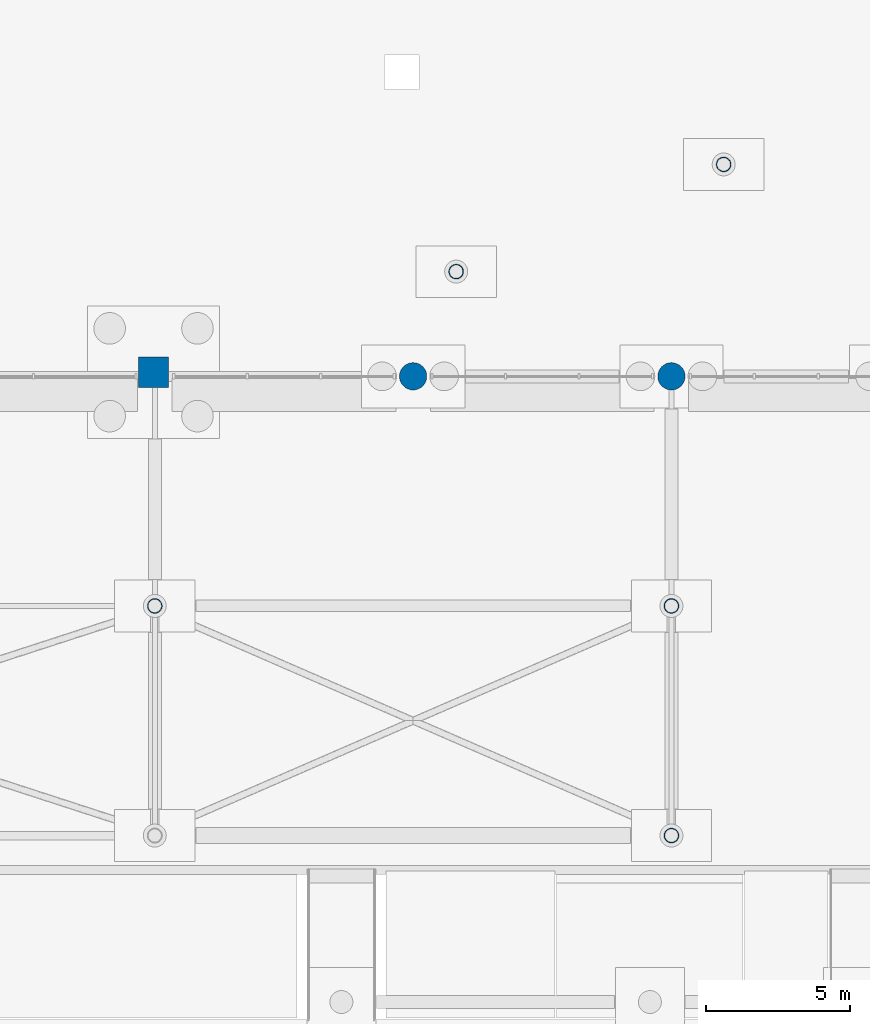
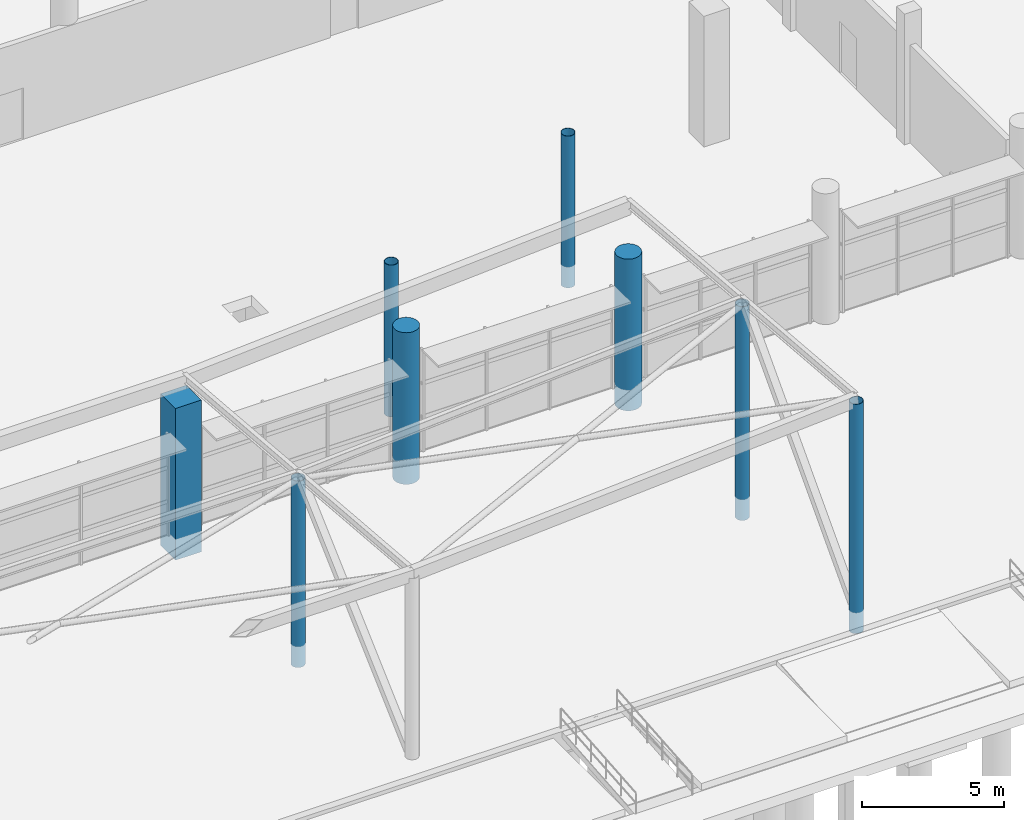
# One storey, part 17 of 98: 8 columns.
"""IFC4 building model written with IfcOpenShell, lengths in metres."""

import ifcopenshell
import ifcopenshell.guid

model = None  # the IFC model being written
_history = None  # IfcOwnerHistory: only IFC2X3 demands one
_inside = {}  # id of a spatial element -> (the spatial element, [elements in it])
_under = {}  # id of a project, library or spatial element -> (it, [spatial elements below it])
_declared = {}  # id of a project -> (the project, [libraries it declares])
_typed = {}  # id of a type object -> (the type object, [elements of that type])
_made_of = {}  # id of a material, layer set ... -> (it, [elements and type objects made of it])


def new_model(schema):
    """Start an empty IFC model of exactly this schema.

    Asked for "IFC4X3", IfcOpenShell would pick the latest addendum, in which some entities
    have other attributes; the version numbers below select the first issue.
    IFC2X3 requires an IfcOwnerHistory on every rooted entity: one is made here for all.
    """
    global model, _history
    if schema == "IFC4X3":
        model = ifcopenshell.file(schema_version=(4, 3, 0, 0))
    else:
        model = ifcopenshell.file(schema=schema)
    _inside.clear()
    _under.clear()
    _declared.clear()
    _typed.clear()
    _made_of.clear()
    _history = None
    if model.schema == "IFC2X3":
        org = make("IfcOrganization", Name="unknown")
        user = make(
            "IfcPersonAndOrganization",
            ThePerson=make("IfcPerson", FamilyName="unknown"),
            TheOrganization=org,
        )
        app = make(
            "IfcApplication",
            ApplicationDeveloper=org,
            Version="unknown",
            ApplicationFullName="unknown",
            ApplicationIdentifier="unknown",
        )
        _history = make(
            "IfcOwnerHistory",
            OwningUser=user,
            OwningApplication=app,
            ChangeAction="ADDED",
            CreationDate=0,
        )
    return model


def make(cls, **values):
    """One entity of the class cls with the attributes given. An attribute that is None is left unset."""
    return model.create_entity(
        cls, **{name: value for name, value in values.items() if value is not None}
    )


def rooted(cls, **values):
    """An entity with a GlobalId (a new one), such as an element, a storey or a relation."""
    return make(cls, GlobalId=ifcopenshell.guid.new(), OwnerHistory=_history, **values)


def si_unit(unit_type, name, prefix=None):
    """IfcSIUnit, for example si_unit("LENGTHUNIT", "METRE", prefix="MILLI")."""
    return make("IfcSIUnit", UnitType=unit_type, Prefix=prefix, Name=name)


def derived_unit(unit_type, elements):
    """IfcDerivedUnit: a product of units, each with its exponent."""
    return make(
        "IfcDerivedUnit",
        Elements=[
            make("IfcDerivedUnitElement", Unit=unit, Exponent=power)
            for unit, power in elements
        ],
        UnitType=unit_type,
    )


def assignment(units):
    """IfcUnitAssignment: the units of a project."""
    return None if units is None else make("IfcUnitAssignment", Units=units)


def point(xyz):
    """IfcCartesianPoint."""
    return None if xyz is None else make("IfcCartesianPoint", Coordinates=xyz)


def direction(xyz):
    """IfcDirection."""
    return None if xyz is None else make("IfcDirection", DirectionRatios=xyz)


def frame(location, z_axis=None, x_axis=None):
    """IfcAxis2Placement3D, a coordinate frame: its origin and axes. An axis left out is left unset."""
    return make(
        "IfcAxis2Placement3D",
        Location=point(location),
        Axis=direction(z_axis),
        RefDirection=direction(x_axis),
    )


def frame_2d(location, x_axis=None):
    """IfcAxis2Placement2D, a coordinate frame in the plane: its origin and x axis."""
    return make(
        "IfcAxis2Placement2D", Location=point(location), RefDirection=direction(x_axis)
    )


def origin():
    """The frame at (0, 0, 0) with its axes left unset."""
    return frame((0.0, 0.0, 0.0))


def origin_2d():
    """The frame at (0, 0) in the plane with its x axis left unset."""
    return frame_2d((0.0, 0.0))


def place(relative_to, where):
    """IfcLocalPlacement: puts the frame where relative to a parent placement (None: the world)."""
    return make(
        "IfcLocalPlacement", PlacementRelTo=relative_to, RelativePlacement=where
    )


def context(
    kind, dimensions, precision=None, world=None, true_north=None, identifier=None
):
    """IfcGeometricRepresentationContext, for example the 3D "Model" context."""
    return make(
        "IfcGeometricRepresentationContext",
        ContextIdentifier=identifier,
        ContextType=kind,
        CoordinateSpaceDimension=dimensions,
        Precision=precision,
        WorldCoordinateSystem=world,
        TrueNorth=true_north,
    )


def subcontext(parent, identifier, kind, view, scale=None):
    """IfcGeometricRepresentationSubContext, for example "Body" below "Model"."""
    return make(
        "IfcGeometricRepresentationSubContext",
        ContextIdentifier=identifier,
        ContextType=kind,
        ParentContext=parent,
        TargetScale=scale,
        TargetView=view,
    )


def project(units=None, contexts=None):
    """IfcProject with its units and contexts."""
    return rooted(
        "IfcProject",
        Name="project",
        RepresentationContexts=contexts,
        UnitsInContext=assignment(units),
    )


def spatial(cls, under=None, at=None, **own):
    """A site, building, storey or space (cls), placed at a placement, below another one or the project."""
    s = rooted(cls, ObjectPlacement=at, **own)
    if under is not None:
        _under.setdefault(under.id(), (under, []))[1].append(s)
    return s


def profile(cls, at=None, kind="AREA", **sizes):
    """A parametric profile (cls). Its sizes go by their IFC names, for example OverallWidth=200.0."""
    return make(cls, ProfileType=kind, Position=at, **sizes)


def rectangle(**sizes):
    """IfcRectangleProfileDef."""
    return profile("IfcRectangleProfileDef", **sizes)


def circle(**sizes):
    """IfcCircleProfileDef."""
    return profile("IfcCircleProfileDef", **sizes)


def hollow_circle(**sizes):
    """IfcCircleHollowProfileDef."""
    return profile("IfcCircleHollowProfileDef", **sizes)


def extrude(swept, where, along, depth):
    """IfcExtrudedAreaSolid: the profile swept, set in the frame where, extruded along a direction by depth."""
    return make(
        "IfcExtrudedAreaSolid",
        SweptArea=swept,
        Position=where,
        ExtrudedDirection=direction(along),
        Depth=depth,
    )


def shape(context_of_items, identifier, shape_type, items):
    """IfcShapeRepresentation: the items that make up one representation, for example the "Body"."""
    return make(
        "IfcShapeRepresentation",
        ContextOfItems=context_of_items,
        RepresentationIdentifier=identifier,
        RepresentationType=shape_type,
        Items=items,
    )


def material(Name=None, Category=None):
    """IfcMaterial."""
    return make("IfcMaterial", Name=Name, Category=Category)


def material_profile(
    of_material, cross_section, Name=None, Category=None, Priority=None
):
    """IfcMaterialProfile: a cross section and its material."""
    return make(
        "IfcMaterialProfile",
        Name=Name,
        Material=of_material,
        Profile=cross_section,
        Priority=Priority,
        Category=Category,
    )


def profile_set(profiles, Name=None, composite=None):
    """IfcMaterialProfileSet."""
    return make(
        "IfcMaterialProfileSet",
        Name=Name,
        MaterialProfiles=profiles,
        CompositeProfile=composite,
    )


def made_of(thing, what):
    """Note that an element or type object is made of a material, layer set ...; save() writes the relation."""
    if what is not None:
        _made_of.setdefault(what.id(), (what, []))[1].append(thing)
    return thing


def type_object(cls, material=None, **own):
    """A type object (cls), such as IfcWallType, which elements share."""
    return made_of(rooted(cls, **own), material)


def element(
    cls,
    number,
    at=None,
    inside=None,
    cuts=None,
    type_object=None,
    material=None,
    context=None,
    identifier="Body",
    shape_type=None,
    held_by="IfcProductDefinitionShape",
    body=None,
    shapes=None,
    **own,
):
    """One element of the class cls, such as IfcWall. Its Tag is "e" and its number.

    at: its placement. inside: the storey or other place that contains it. cuts: it is an
    opening in that element (IfcRelVoidsElement). A single representation is given by context,
    identifier, shape_type and body (its items); several are given by shapes. held_by: the class
    of the entity that holds the representations. save() writes the other relations.
    """
    e = rooted(cls, Tag="e%d" % number, ObjectPlacement=at, **own)
    if body is not None:
        shapes = [shape(context, identifier, shape_type, body)]
    if shapes is not None:
        e.Representation = make(held_by, Representations=shapes)
    if inside is not None:
        _inside.setdefault(inside.id(), (inside, []))[1].append(e)
    if cuts is not None:
        rooted(
            "IfcRelVoidsElement", RelatingBuildingElement=cuts, RelatedOpeningElement=e
        )
    if type_object is not None:
        _typed.setdefault(type_object.id(), (type_object, []))[1].append(e)
    return made_of(e, material)


def aggregate(whole, parts):
    """IfcRelAggregates: a whole, such as a stair, and the parts it consists of."""
    return rooted("IfcRelAggregates", RelatingObject=whole, RelatedObjects=parts)


def save(model, path):
    """Write the relations noted so far, then the file.

    IfcRelAggregates (storeys below a building ...), IfcRelContainedInSpatialStructure (elements
    in a storey), IfcRelDefinesByType, IfcRelAssociatesMaterial and IfcRelDeclares: one each for
    every whole, place, type object, material and project.
    """
    for whole, parts in _under.values():
        aggregate(whole, parts)
    for where, things in _inside.values():
        rooted(
            "IfcRelContainedInSpatialStructure",
            RelatedElements=things,
            RelatingStructure=where,
        )
    for kind, things in _typed.values():
        rooted("IfcRelDefinesByType", RelatedObjects=things, RelatingType=kind)
    for what, things in _made_of.values():
        rooted("IfcRelAssociatesMaterial", RelatedObjects=things, RelatingMaterial=what)
    for by, libraries in _declared.values():
        rooted("IfcRelDeclares", RelatingContext=by, RelatedDefinitions=libraries)
    model.write(path)


model = new_model("IFC4")

# Units and contexts
model_context = context("Model", 3, precision=1e-05, world=origin(), true_north=direction((0.0, 1.0)))
body_context = subcontext(model_context, "Body", "Model", "MODEL_VIEW")
ifc_project = project(units=[si_unit("LENGTHUNIT", "METRE"), si_unit("AREAUNIT", "SQUARE_METRE"), si_unit("VOLUMEUNIT", "CUBIC_METRE"), si_unit("PLANEANGLEUNIT", "RADIAN"), si_unit("MASSUNIT", "GRAM", prefix="KILO"), si_unit("THERMODYNAMICTEMPERATUREUNIT", "KELVIN"), derived_unit("THERMALTRANSMITTANCEUNIT", [(si_unit("POWERUNIT", "WATT"), 1), (si_unit("AREAUNIT", "SQUARE_METRE"), -1), (si_unit("THERMODYNAMICTEMPERATUREUNIT", "KELVIN"), -1)])], contexts=[model_context])

# Site, building, storey
site_placement = place(None, origin())
site = spatial("IfcSite", under=ifc_project, at=site_placement, CompositionType="ELEMENT")
building_placement = place(site_placement, origin())
building = spatial("IfcBuilding", under=site, at=building_placement, Name="Haiyu Intermodal Mobility Hub", CompositionType="ELEMENT")
storey_placement = place(building_placement, origin())
storey = spatial("IfcBuildingStorey", under=building, at=storey_placement, Name="L00", CompositionType="ELEMENT", Elevation=0.0)

# Columns
ifc_material_1 = material(Name="Concrete C40", Category="concrete")
ifc_material_profile_1 = material_profile(ifc_material_1, rectangle(XDim=1.050048828125, YDim=1.050048828125, at=origin_2d()), Name="RC1050x1050")
ifc_profile_set_1 = profile_set([ifc_material_profile_1], Name="Concrete C40")
column_type_1 = type_object("IfcColumnType", Name="COL-CC12-EXT", PredefinedType="COLUMN", material=ifc_profile_set_1)
column_1_placement = place(storey_placement, frame((119.95703125, 40.14208984375, -0.89990234375), z_axis=(0.0, 0.0, 1.0), x_axis=(1.0, 0.0, 0.0)))
element("IfcColumn", 1, at=column_1_placement, inside=storey, type_object=column_type_1, Name="Column MP-07 L00", PredefinedType="COLUMN", context=body_context, shape_type="SweptSolid", body=[
    extrude(rectangle(XDim=1.050048828125, YDim=1.050048828125, at=origin_2d()), origin(), (0.0, 0.0, 1.0), 6.5),
])
ifc_material_profile_2 = material_profile(ifc_material_1, circle(Radius=0.47509765625, at=origin_2d()), Name="RCCOL-D950")
ifc_profile_set_2 = profile_set([ifc_material_profile_2], Name="Concrete C40")
column_type_2 = type_object("IfcColumnType", Name="COL-CR03-EXT", PredefinedType="COLUMN", material=ifc_profile_set_2)
for number, where, z_axis, x_axis, name in (
    (2, (129.0, 40.0, -0.89990234375), (0.0, 0.0, 1.0), (1.0, 0.0, 0.0), "Column V1-14D L00"),
    (3, (138.0, 40.0, -0.89990234375), (0.0, 0.0, 1.0), (1.0, 0.0, 0.0), "Column V1-15D L00"),
):
    element("IfcColumn", number, at=place(storey_placement, frame(where, z_axis=z_axis, x_axis=x_axis)), inside=storey, type_object=column_type_2, Name=name, PredefinedType="COLUMN", context=body_context, shape_type="SweptSolid", body=[
        extrude(circle(Radius=0.47509765625, at=origin_2d()), origin(), (0.0, 0.0, 1.0), 6.5),
    ])
ifc_material_2 = material(Name="Steel Q355C", Category="steel")
ifc_material_profile_3 = material_profile(ifc_material_2, hollow_circle(Radius=0.25390625, WallThickness=0.01611328125, at=origin_2d()), Name="CHS508x16")
ifc_profile_set_3 = profile_set([ifc_material_profile_3], Name="Steel Q355C")
column_type_3 = type_object("IfcColumnType", Name="COL-SC02-EXT", PredefinedType="COLUMN", material=ifc_profile_set_3)
for number, where, z_axis, x_axis, name in (
    (4, (130.5, 43.64794921875, -0.89990234375), (0.0, 0.0, 1.0), (1.0, 0.0, 0.0), "Column RCOL-21 L00"),
    (5, (139.820068359375, 47.383056640625, -0.89990234375), (0.0, 0.0, 1.0), (1.0, 0.0, 0.0), "Column RCOL-22 L00"),
):
    element("IfcColumn", number, at=place(storey_placement, frame(where, z_axis=z_axis, x_axis=x_axis)), inside=storey, type_object=column_type_3, Name=name, PredefinedType="COLUMN", context=body_context, shape_type="SweptSolid", body=[
        extrude(hollow_circle(Radius=0.25390625, WallThickness=0.01611328125, at=origin_2d()), origin(), (0.0, 0.0, 1.0), 6.5),
    ])
column_2_placement = place(storey_placement, frame((120.0, 32.0, -0.89990234375), z_axis=(0.0, 0.0, 1.0), x_axis=(1.0, 0.0, 0.0)))
element("IfcColumn", 6, at=column_2_placement, inside=storey, type_object=column_type_3, Name="Column CAN-13C L00", PredefinedType="COLUMN", context=body_context, shape_type="SweptSolid", body=[
    extrude(hollow_circle(Radius=0.25390625, WallThickness=0.01611328125, at=origin_2d()), origin(), (0.0, 0.0, 1.0), 7.98486328125),
])
column_3_placement = place(storey_placement, frame((138.0, 24.0, -0.89990234375), z_axis=(0.0, 0.0, 1.0), x_axis=(1.0, 0.0, 0.0)))
element("IfcColumn", 7, at=column_3_placement, inside=storey, type_object=column_type_3, Name="Column CAN-15B L00", PredefinedType="COLUMN", context=body_context, shape_type="SweptSolid", body=[
    extrude(hollow_circle(Radius=0.25390625, WallThickness=0.01611328125, at=origin_2d()), origin(), (0.0, 0.0, 1.0), 9.829833984375),
])
column_4_placement = place(storey_placement, frame((138.0, 32.0, -0.89990234375), z_axis=(0.0, 0.0, 1.0), x_axis=(1.0, 0.0, 0.0)))
element("IfcColumn", 8, at=column_4_placement, inside=storey, type_object=column_type_3, Name="Column CAN-15C L00", PredefinedType="COLUMN", context=body_context, shape_type="SweptSolid", body=[
    extrude(hollow_circle(Radius=0.25390625, WallThickness=0.01611328125, at=origin_2d()), origin(), (0.0, 0.0, 1.0), 9.15478515625),
])

save(model, "model.ifc")
